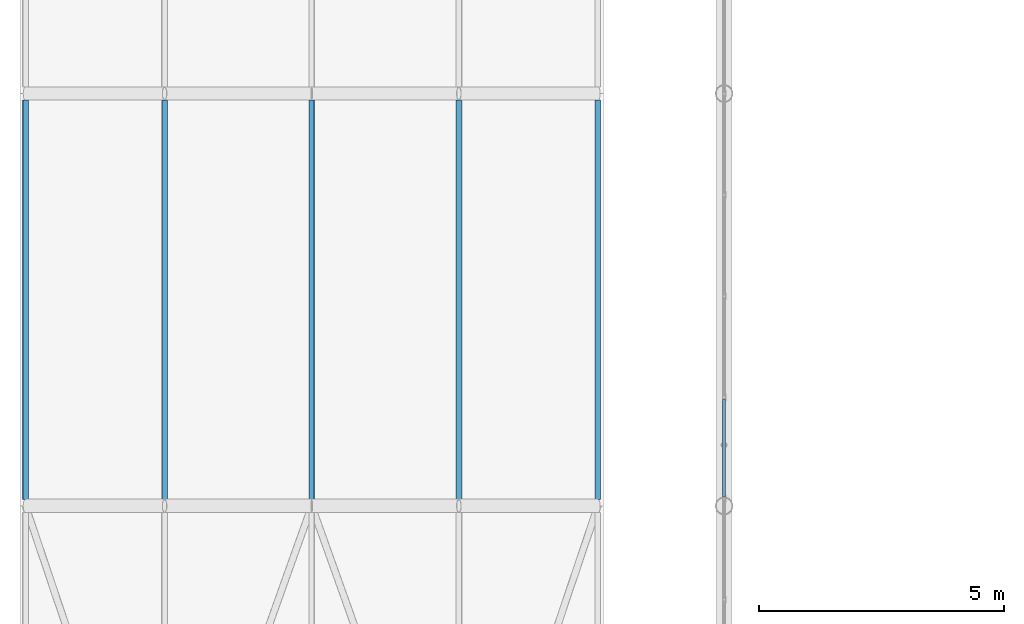
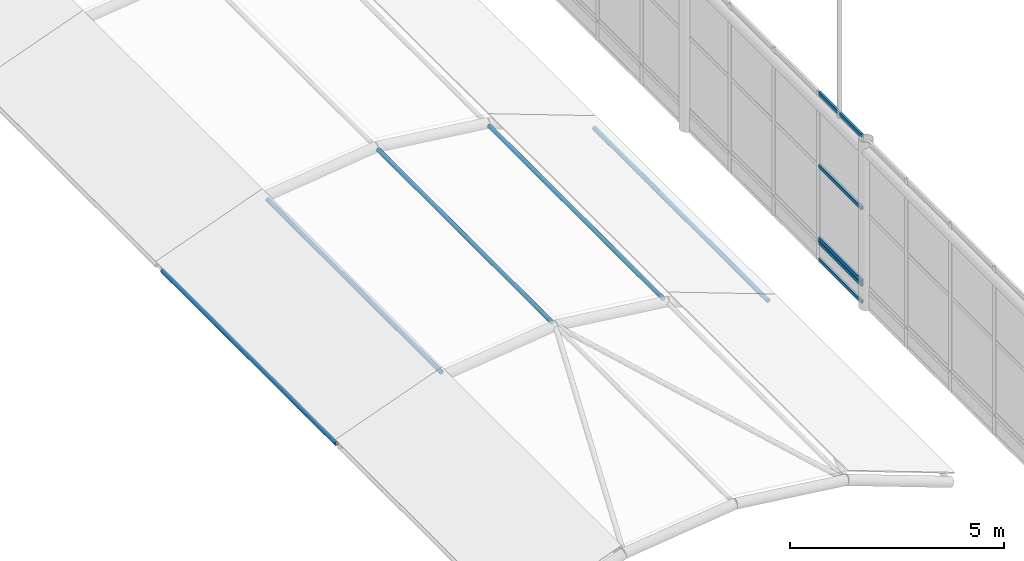
# One storey, part 21 of 167: 10 members, 2 elements without a shape of their own.
"""IFC4 building model written with IfcOpenShell, lengths in metres."""

from ifc_helpers import new_model, si_unit, direction, frame, origin, origin_2d, place, context, subcontext, project, spatial, hollow_rectangle, hollow_circle, extrude, material, material_profile, profile_set, type_object, element, aggregate, save


model = new_model("IFC4")

# Units and contexts
model_context = context("Model", 3, precision=1e-05, world=origin(), true_north=direction((0.0, 1.0)))
body_context = subcontext(model_context, "Body", "Model", "MODEL_VIEW")
ifc_project = project(units=[si_unit("LENGTHUNIT", "METRE"), si_unit("AREAUNIT", "SQUARE_METRE"), si_unit("VOLUMEUNIT", "CUBIC_METRE"), si_unit("PLANEANGLEUNIT", "RADIAN"), si_unit("MASSUNIT", "GRAM", prefix="KILO")], contexts=[model_context])

# Site, building, storey
site_placement = place(None, origin())
site = spatial("IfcSite", under=ifc_project, at=site_placement, CompositionType="ELEMENT")
building_placement = place(site_placement, origin())
building = spatial("IfcBuilding", under=site, at=building_placement, Name="Catenary Quay Ferry Terminal", CompositionType="ELEMENT")
storey_placement = place(building_placement, frame((0.0, 0.0, 6.0)))
storey = spatial("IfcBuildingStorey", under=building, at=storey_placement, Name="L01", CompositionType="ELEMENT", Elevation=6.0)

# Members
ifc_material_1 = material(Name="Steel S355", Category="steel")
ifc_material_profile_1 = material_profile(ifc_material_1, hollow_circle(Radius=0.05712890625, WallThickness=0.00634765625, at=origin_2d()), Name="CHS 114.3x6.3")
ifc_profile_set_1 = profile_set([ifc_material_profile_1], Name="Steel S355")
member_type_1 = type_object("IfcMemberType", Name="PU2 CHS 114.3x6.3", PredefinedType="PURLIN", material=ifc_profile_set_1)
for number, where, z_axis, x_axis, name in (
    (1, (10.970947265625, 75.72998046875, 0.98388671875), (0.0, 1.0, 0.0), (-1.0, 0.0, 0.0), "Purlin PU-FC-02-01"),
    (2, (13.802978515625, 75.72998046875, 2.031005859375), (0.0, 1.0, 0.0), (-1.0, 0.0, 0.0), "Purlin PU-FC-02-02"),
    (3, (16.800048828125, 75.72998046875, 2.39990234375), (0.0, 1.0, 0.0), (-1.0, 0.0, 0.0), "Purlin PU-FC-02-03"),
    (4, (19.797119140625, 75.72998046875, 2.031005859375), (0.0, 1.0, 0.0), (-1.0, 0.0, 0.0), "Purlin PU-FC-02-04"),
    (5, (22.62890625, 75.72998046875, 0.98388671875), (0.0, 1.0, 0.0), (-1.0, 0.0, 0.0), "Purlin PU-FC-02-05"),
):
    element("IfcMember", number, at=place(storey_placement, frame(where, z_axis=z_axis, x_axis=x_axis)), inside=storey, type_object=member_type_1, Name=name, PredefinedType="PURLIN", context=body_context, shape_type="SweptSolid", body=[
        extrude(hollow_circle(Radius=0.05712890625, WallThickness=0.00634765625, at=origin_2d()), origin(), (0.0, 0.0, 1.0), 8.14013671875),
    ])

# Curtain wall, members
ifc_material_2 = material(Name="Aluminium and glass", Category="aluminium")
curtain_wall_type_1 = type_object("IfcCurtainWallType", Name="CWG", PredefinedType="NOTDEFINED", material=ifc_material_2)
curtain_wall_1_placement = place(storey_placement, origin())
curtain_wall_1 = element("IfcCurtainWall", 6, at=curtain_wall_1_placement, inside=storey, type_object=curtain_wall_type_1, Name="Gable arrivals hall curtain wall CW4", PredefinedType="NOTDEFINED")
ifc_material_3 = material(Name="Aluminium", Category="aluminium")
ifc_material_profile_2 = material_profile(ifc_material_3, hollow_rectangle(XDim=0.06005859375, YDim=0.10009765625, WallThickness=0.0048828125, at=origin_2d()), Name="TR2")
ifc_profile_set_2 = profile_set([ifc_material_profile_2], Name="Aluminium")
member_type_2 = type_object("IfcMemberType", Name="TR2", PredefinedType="USERDEFINED", material=ifc_profile_set_2)
member_1_placement = place(storey_placement, frame((25.199951171875, 75.780029296875, 0.6298828125), z_axis=(0.0, 1.0, 0.0), x_axis=(-1.0, 0.0, 0.0)))
member_1 = element("IfcMember", 7, at=member_1_placement, type_object=member_type_2, Name="CW4 transom 5.1", ObjectType="TRANSOM", PredefinedType="USERDEFINED", context=body_context, shape_type="SweptSolid", body=[
    extrude(hollow_rectangle(XDim=0.06005859375, YDim=0.10009765625, WallThickness=0.0048828125, at=origin_2d()), origin(), (0.0, 0.0, 1.0), 2.00244140625),
])
member_2_placement = place(storey_placement, frame((25.199951171875, 75.780029296875, 2.699951171875), z_axis=(0.0, 1.0, 0.0), x_axis=(-1.0, 0.0, 0.0)))
member_2 = element("IfcMember", 8, at=member_2_placement, type_object=member_type_2, Name="CW4 transom 5.2", ObjectType="TRANSOM", PredefinedType="USERDEFINED", context=body_context, shape_type="SweptSolid", body=[
    extrude(hollow_rectangle(XDim=0.06005859375, YDim=0.10009765625, WallThickness=0.0048828125, at=origin_2d()), origin(), (0.0, 0.0, 1.0), 2.00244140625),
])
member_3_placement = place(storey_placement, frame((25.199951171875, 75.780029296875, 4.77001953125), z_axis=(0.0, 1.0, 0.0), x_axis=(-1.0, 0.0, 0.0)))
member_3 = element("IfcMember", 9, at=member_3_placement, type_object=member_type_2, Name="CW4 transom 5.3", ObjectType="TRANSOM", PredefinedType="USERDEFINED", context=body_context, shape_type="SweptSolid", body=[
    extrude(hollow_rectangle(XDim=0.06005859375, YDim=0.10009765625, WallThickness=0.0048828125, at=origin_2d()), origin(), (0.0, 0.0, 1.0), 2.00244140625),
])
aggregate(curtain_wall_1, [member_1, member_2, member_3])

ifc_material_4 = material(Name="Aluminium and glass", Category="aluminium")
curtain_wall_type_2 = type_object("IfcCurtainWallType", Name="CWQ", PredefinedType="NOTDEFINED", material=ifc_material_4)
curtain_wall_2_placement = place(storey_placement, origin())
curtain_wall_2 = element("IfcCurtainWall", 10, at=curtain_wall_2_placement, inside=storey, type_object=curtain_wall_type_2, Name="Gable arrivals hall base curtain wall CW173", PredefinedType="NOTDEFINED")
member_4_placement = place(storey_placement, frame((25.199951171875, 75.780029296875, 0.030029296875), z_axis=(0.0, 1.0, 0.0), x_axis=(-1.0, 0.0, 0.0)))
member_4 = element("IfcMember", 11, at=member_4_placement, type_object=member_type_2, Name="CW173 transom 5.1", ObjectType="TRANSOM", PredefinedType="USERDEFINED", context=body_context, shape_type="SweptSolid", body=[
    extrude(hollow_rectangle(XDim=0.06005859375, YDim=0.10009765625, WallThickness=0.0048828125, at=origin_2d()), origin(), (0.0, 0.0, 1.0), 2.00244140625),
])
member_5_placement = place(storey_placement, frame((25.199951171875, 75.780029296875, 0.510009765625), z_axis=(0.0, 1.0, 0.0), x_axis=(-1.0, 0.0, 0.0)))
member_5 = element("IfcMember", 12, at=member_5_placement, type_object=member_type_2, Name="CW173 transom 5.2", ObjectType="TRANSOM", PredefinedType="USERDEFINED", context=body_context, shape_type="SweptSolid", body=[
    extrude(hollow_rectangle(XDim=0.06005859375, YDim=0.10009765625, WallThickness=0.0048828125, at=origin_2d()), origin(), (0.0, 0.0, 1.0), 2.00244140625),
])
aggregate(curtain_wall_2, [member_4, member_5])

save(model, "model.ifc")
